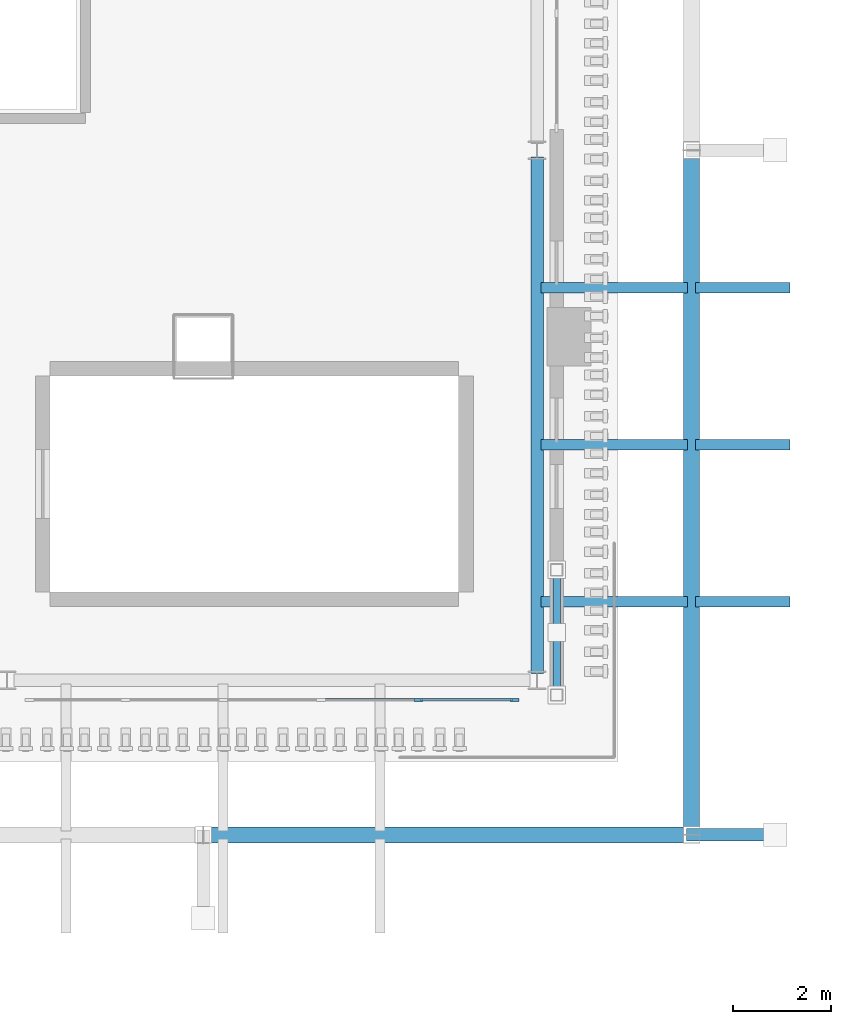
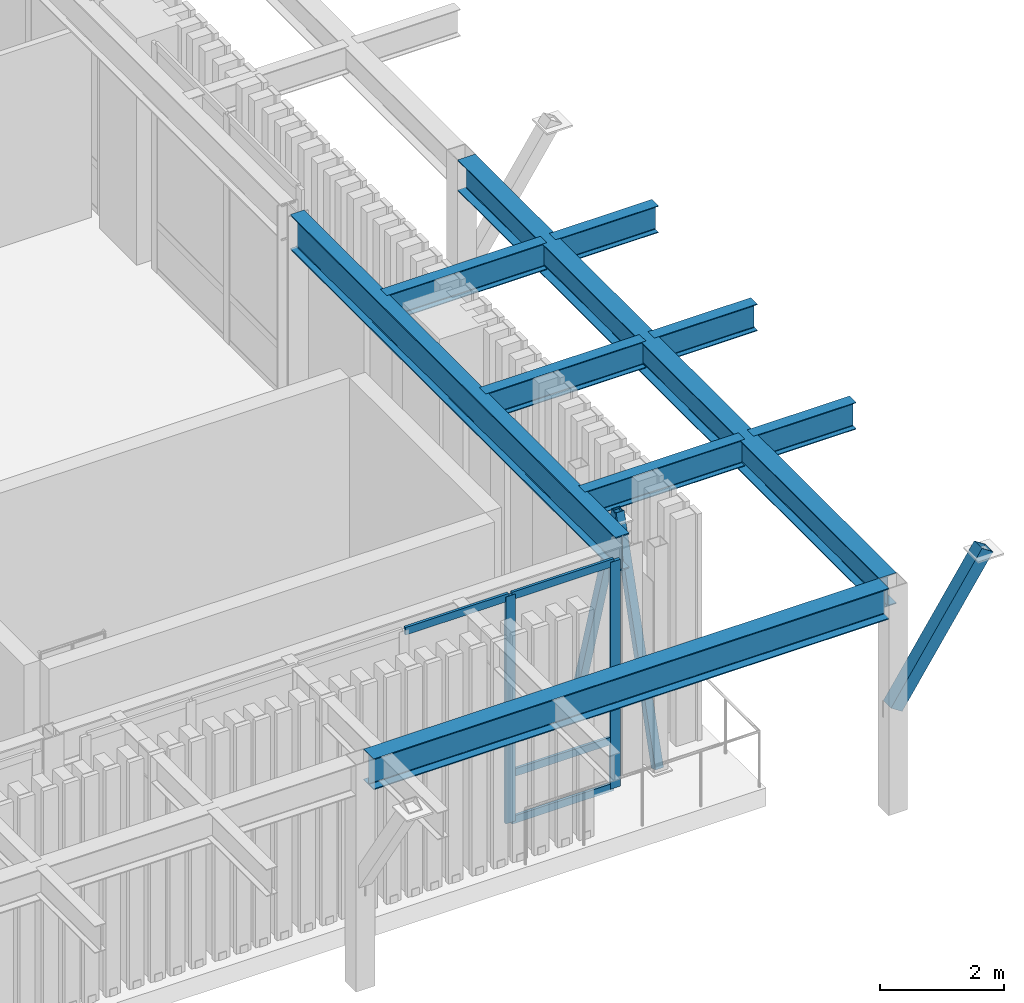
# One storey, part 46 of 126: 9 beams, 9 members, 1 element without a shape of its own.
"""IFC4 building model written with IfcOpenShell, lengths in metres."""

import ifcopenshell
import ifcopenshell.guid

model = None  # the IFC model being written
_history = None  # IfcOwnerHistory: only IFC2X3 demands one
_inside = {}  # id of a spatial element -> (the spatial element, [elements in it])
_under = {}  # id of a project, library or spatial element -> (it, [spatial elements below it])
_declared = {}  # id of a project -> (the project, [libraries it declares])
_typed = {}  # id of a type object -> (the type object, [elements of that type])
_made_of = {}  # id of a material, layer set ... -> (it, [elements and type objects made of it])


def new_model(schema):
    """Start an empty IFC model of exactly this schema.

    Asked for "IFC4X3", IfcOpenShell would pick the latest addendum, in which some entities
    have other attributes; the version numbers below select the first issue.
    IFC2X3 requires an IfcOwnerHistory on every rooted entity: one is made here for all.
    """
    global model, _history
    if schema == "IFC4X3":
        model = ifcopenshell.file(schema_version=(4, 3, 0, 0))
    else:
        model = ifcopenshell.file(schema=schema)
    _inside.clear()
    _under.clear()
    _declared.clear()
    _typed.clear()
    _made_of.clear()
    _history = None
    if model.schema == "IFC2X3":
        org = make("IfcOrganization", Name="unknown")
        user = make(
            "IfcPersonAndOrganization",
            ThePerson=make("IfcPerson", FamilyName="unknown"),
            TheOrganization=org,
        )
        app = make(
            "IfcApplication",
            ApplicationDeveloper=org,
            Version="unknown",
            ApplicationFullName="unknown",
            ApplicationIdentifier="unknown",
        )
        _history = make(
            "IfcOwnerHistory",
            OwningUser=user,
            OwningApplication=app,
            ChangeAction="ADDED",
            CreationDate=0,
        )
    return model


def make(cls, **values):
    """One entity of the class cls with the attributes given. An attribute that is None is left unset."""
    return model.create_entity(
        cls, **{name: value for name, value in values.items() if value is not None}
    )


def rooted(cls, **values):
    """An entity with a GlobalId (a new one), such as an element, a storey or a relation."""
    return make(cls, GlobalId=ifcopenshell.guid.new(), OwnerHistory=_history, **values)


def si_unit(unit_type, name, prefix=None):
    """IfcSIUnit, for example si_unit("LENGTHUNIT", "METRE", prefix="MILLI")."""
    return make("IfcSIUnit", UnitType=unit_type, Prefix=prefix, Name=name)


def derived_unit(unit_type, elements):
    """IfcDerivedUnit: a product of units, each with its exponent."""
    return make(
        "IfcDerivedUnit",
        Elements=[
            make("IfcDerivedUnitElement", Unit=unit, Exponent=power)
            for unit, power in elements
        ],
        UnitType=unit_type,
    )


def assignment(units):
    """IfcUnitAssignment: the units of a project."""
    return None if units is None else make("IfcUnitAssignment", Units=units)


def point(xyz):
    """IfcCartesianPoint."""
    return None if xyz is None else make("IfcCartesianPoint", Coordinates=xyz)


def direction(xyz):
    """IfcDirection."""
    return None if xyz is None else make("IfcDirection", DirectionRatios=xyz)


def frame(location, z_axis=None, x_axis=None):
    """IfcAxis2Placement3D, a coordinate frame: its origin and axes. An axis left out is left unset."""
    return make(
        "IfcAxis2Placement3D",
        Location=point(location),
        Axis=direction(z_axis),
        RefDirection=direction(x_axis),
    )


def frame_2d(location, x_axis=None):
    """IfcAxis2Placement2D, a coordinate frame in the plane: its origin and x axis."""
    return make(
        "IfcAxis2Placement2D", Location=point(location), RefDirection=direction(x_axis)
    )


def origin():
    """The frame at (0, 0, 0) with its axes left unset."""
    return frame((0.0, 0.0, 0.0))


def origin_2d():
    """The frame at (0, 0) in the plane with its x axis left unset."""
    return frame_2d((0.0, 0.0))


def place(relative_to, where):
    """IfcLocalPlacement: puts the frame where relative to a parent placement (None: the world)."""
    return make(
        "IfcLocalPlacement", PlacementRelTo=relative_to, RelativePlacement=where
    )


def context(
    kind, dimensions, precision=None, world=None, true_north=None, identifier=None
):
    """IfcGeometricRepresentationContext, for example the 3D "Model" context."""
    return make(
        "IfcGeometricRepresentationContext",
        ContextIdentifier=identifier,
        ContextType=kind,
        CoordinateSpaceDimension=dimensions,
        Precision=precision,
        WorldCoordinateSystem=world,
        TrueNorth=true_north,
    )


def subcontext(parent, identifier, kind, view, scale=None):
    """IfcGeometricRepresentationSubContext, for example "Body" below "Model"."""
    return make(
        "IfcGeometricRepresentationSubContext",
        ContextIdentifier=identifier,
        ContextType=kind,
        ParentContext=parent,
        TargetScale=scale,
        TargetView=view,
    )


def project(units=None, contexts=None):
    """IfcProject with its units and contexts."""
    return rooted(
        "IfcProject",
        Name="project",
        RepresentationContexts=contexts,
        UnitsInContext=assignment(units),
    )


def spatial(cls, under=None, at=None, **own):
    """A site, building, storey or space (cls), placed at a placement, below another one or the project."""
    s = rooted(cls, ObjectPlacement=at, **own)
    if under is not None:
        _under.setdefault(under.id(), (under, []))[1].append(s)
    return s


def profile(cls, at=None, kind="AREA", **sizes):
    """A parametric profile (cls). Its sizes go by their IFC names, for example OverallWidth=200.0."""
    return make(cls, ProfileType=kind, Position=at, **sizes)


def rectangle(**sizes):
    """IfcRectangleProfileDef."""
    return profile("IfcRectangleProfileDef", **sizes)


def hollow_rectangle(**sizes):
    """IfcRectangleHollowProfileDef."""
    return profile("IfcRectangleHollowProfileDef", **sizes)


def i_section(**sizes):
    """IfcIShapeProfileDef."""
    return profile("IfcIShapeProfileDef", **sizes)


def extrude(swept, where, along, depth):
    """IfcExtrudedAreaSolid: the profile swept, set in the frame where, extruded along a direction by depth."""
    return make(
        "IfcExtrudedAreaSolid",
        SweptArea=swept,
        Position=where,
        ExtrudedDirection=direction(along),
        Depth=depth,
    )


def shape(context_of_items, identifier, shape_type, items):
    """IfcShapeRepresentation: the items that make up one representation, for example the "Body"."""
    return make(
        "IfcShapeRepresentation",
        ContextOfItems=context_of_items,
        RepresentationIdentifier=identifier,
        RepresentationType=shape_type,
        Items=items,
    )


def material(Name=None, Category=None):
    """IfcMaterial."""
    return make("IfcMaterial", Name=Name, Category=Category)


def layer(
    of_material, thickness, ventilated=None, Name=None, Category=None, Priority=None
):
    """IfcMaterialLayer: one layer of a wall or slab, of a material (None: an air gap)."""
    return make(
        "IfcMaterialLayer",
        Material=of_material,
        LayerThickness=thickness,
        IsVentilated=ventilated,
        Name=Name,
        Category=Category,
        Priority=Priority,
    )


def layer_set(layers, Name=None):
    """IfcMaterialLayerSet."""
    return make("IfcMaterialLayerSet", MaterialLayers=layers, LayerSetName=Name)


def material_profile(
    of_material, cross_section, Name=None, Category=None, Priority=None
):
    """IfcMaterialProfile: a cross section and its material."""
    return make(
        "IfcMaterialProfile",
        Name=Name,
        Material=of_material,
        Profile=cross_section,
        Priority=Priority,
        Category=Category,
    )


def profile_set(profiles, Name=None, composite=None):
    """IfcMaterialProfileSet."""
    return make(
        "IfcMaterialProfileSet",
        Name=Name,
        MaterialProfiles=profiles,
        CompositeProfile=composite,
    )


def made_of(thing, what):
    """Note that an element or type object is made of a material, layer set ...; save() writes the relation."""
    if what is not None:
        _made_of.setdefault(what.id(), (what, []))[1].append(thing)
    return thing


def type_object(cls, material=None, **own):
    """A type object (cls), such as IfcWallType, which elements share."""
    return made_of(rooted(cls, **own), material)


def element(
    cls,
    number,
    at=None,
    inside=None,
    cuts=None,
    type_object=None,
    material=None,
    context=None,
    identifier="Body",
    shape_type=None,
    held_by="IfcProductDefinitionShape",
    body=None,
    shapes=None,
    **own,
):
    """One element of the class cls, such as IfcWall. Its Tag is "e" and its number.

    at: its placement. inside: the storey or other place that contains it. cuts: it is an
    opening in that element (IfcRelVoidsElement). A single representation is given by context,
    identifier, shape_type and body (its items); several are given by shapes. held_by: the class
    of the entity that holds the representations. save() writes the other relations.
    """
    e = rooted(cls, Tag="e%d" % number, ObjectPlacement=at, **own)
    if body is not None:
        shapes = [shape(context, identifier, shape_type, body)]
    if shapes is not None:
        e.Representation = make(held_by, Representations=shapes)
    if inside is not None:
        _inside.setdefault(inside.id(), (inside, []))[1].append(e)
    if cuts is not None:
        rooted(
            "IfcRelVoidsElement", RelatingBuildingElement=cuts, RelatedOpeningElement=e
        )
    if type_object is not None:
        _typed.setdefault(type_object.id(), (type_object, []))[1].append(e)
    return made_of(e, material)


def aggregate(whole, parts):
    """IfcRelAggregates: a whole, such as a stair, and the parts it consists of."""
    return rooted("IfcRelAggregates", RelatingObject=whole, RelatedObjects=parts)


def save(model, path):
    """Write the relations noted so far, then the file.

    IfcRelAggregates (storeys below a building ...), IfcRelContainedInSpatialStructure (elements
    in a storey), IfcRelDefinesByType, IfcRelAssociatesMaterial and IfcRelDeclares: one each for
    every whole, place, type object, material and project.
    """
    for whole, parts in _under.values():
        aggregate(whole, parts)
    for where, things in _inside.values():
        rooted(
            "IfcRelContainedInSpatialStructure",
            RelatedElements=things,
            RelatingStructure=where,
        )
    for kind, things in _typed.values():
        rooted("IfcRelDefinesByType", RelatedObjects=things, RelatingType=kind)
    for what, things in _made_of.values():
        rooted("IfcRelAssociatesMaterial", RelatedObjects=things, RelatingMaterial=what)
    for by, libraries in _declared.values():
        rooted("IfcRelDeclares", RelatingContext=by, RelatedDefinitions=libraries)
    model.write(path)


model = new_model("IFC4")

# Units and contexts
model_context = context("Model", 3, precision=1e-05, world=origin(), true_north=direction((0.0, 1.0)))
body_context = subcontext(model_context, "Body", "Model", "MODEL_VIEW")
ifc_project = project(units=[si_unit("LENGTHUNIT", "METRE"), si_unit("AREAUNIT", "SQUARE_METRE"), si_unit("VOLUMEUNIT", "CUBIC_METRE"), si_unit("PLANEANGLEUNIT", "RADIAN"), si_unit("MASSUNIT", "GRAM", prefix="KILO"), derived_unit("THERMALTRANSMITTANCEUNIT", [(si_unit("MASSUNIT", "GRAM", prefix="KILO"), 1), (si_unit("TIMEUNIT", "SECOND"), -3), (si_unit("THERMODYNAMICTEMPERATUREUNIT", "KELVIN"), -1)])], contexts=[model_context])

# Site, building, storey
site_placement = place(None, origin())
site = spatial("IfcSite", under=ifc_project, at=site_placement, CompositionType="ELEMENT")
building_placement = place(site_placement, origin())
building = spatial("IfcBuilding", under=site, at=building_placement, Name="Valcora Ridge Arena", CompositionType="ELEMENT")
storey_placement = place(building_placement, frame((0.0, 0.0, 11.39990234375)))
storey = spatial("IfcBuildingStorey", under=building, at=storey_placement, Name="L02", CompositionType="ELEMENT", Elevation=11.39990234375)

# Beams
ifc_material_1 = material(Name="Steel ASTM A572 Grade 50", Category="steel")
ifc_material_profile_1 = material_profile(ifc_material_1, i_section(OverallWidth=0.324951171875, OverallDepth=0.612060546875, WebThickness=0.0126953125, FlangeThickness=0.01904296875, FilletRadius=0.01806640625, at=origin_2d()), Name="W24X104")
ifc_profile_set_1 = profile_set([ifc_material_profile_1], Name="Steel ASTM A572 Grade 50")
beam_type_1 = type_object("IfcBeamType", Name="TY-BEAM-G-COL-W24", PredefinedType="BEAM", material=ifc_profile_set_1)
beam_1_placement = place(storey_placement, frame((189.949951171875, 2.2099609375, 4.174072265625), z_axis=(0.0, 1.0, 0.0), x_axis=(-1.0, 0.0, 0.0)))
element("IfcBeam", 1, at=beam_1_placement, inside=storey, type_object=beam_type_1, Name="G-COL-W24 BEM-G-COL-W24-0002", PredefinedType="BEAM", context=body_context, shape_type="SweptSolid", body=[
    extrude(i_section(OverallWidth=0.324951171875, OverallDepth=0.612060546875, WebThickness=0.0126953125, FlangeThickness=0.01904296875, FilletRadius=0.01806640625, at=origin_2d()), origin(), (0.0, 0.0, 1.0), 13.630126953125),
])
ifc_material_profile_2 = material_profile(ifc_material_1, i_section(OverallWidth=0.324951171875, OverallDepth=0.612060546875, WebThickness=0.0126953125, FlangeThickness=0.01904296875, FilletRadius=0.01806640625, at=origin_2d()), Name="W24X104")
ifc_profile_set_2 = profile_set([ifc_material_profile_2], Name="Steel ASTM A572 Grade 50")
beam_type_2 = type_object("IfcBeamType", Name="TY-BEAM-G-COL-W24S", PredefinedType="BEAM", material=ifc_profile_set_2)
beam_2_placement = place(storey_placement, frame((180.159912109375, 2.050048828125, 4.174072265625), z_axis=(1.0, 0.0, 0.0), x_axis=(0.0, 1.0, 0.0)))
element("IfcBeam", 2, at=beam_2_placement, inside=storey, type_object=beam_type_2, Name="G-COL-W24S BEM-G-COL-W24S-0005", PredefinedType="BEAM", context=body_context, shape_type="SweptSolid", body=[
    extrude(i_section(OverallWidth=0.324951171875, OverallDepth=0.612060546875, WebThickness=0.0126953125, FlangeThickness=0.01904296875, FilletRadius=0.01806640625, at=origin_2d()), origin(), (0.0, 0.0, 1.0), 9.630126953125),
])
ifc_material_profile_3 = material_profile(ifc_material_1, i_section(OverallWidth=0.256103515625, OverallDepth=0.693115234375, WebThickness=0.014404296875, FlangeThickness=0.023681640625, FilletRadius=0.02001953125, at=origin_2d()), Name="W27X114")
ifc_profile_set_3 = profile_set([ifc_material_profile_3], Name="Steel ASTM A572 Grade 50")
beam_type_3 = type_object("IfcBeamType", Name="TY-BEAM-G-W27X114-Y", PredefinedType="BEAM", material=ifc_profile_set_3)
beam_3_placement = place(storey_placement, frame((186.800048828125, 5.340087890625, 4.133544921875), z_axis=(0.0, 1.0, 0.0), x_axis=(-1.0, 0.0, 0.0)))
element("IfcBeam", 3, at=beam_3_placement, inside=storey, type_object=beam_type_3, Name="G-W27X114-Y BEM-G-W27X114-Y-0079", PredefinedType="BEAM", context=body_context, shape_type="SweptSolid", body=[
    extrude(i_section(OverallWidth=0.256103515625, OverallDepth=0.693115234375, WebThickness=0.014404296875, FlangeThickness=0.023681640625, FilletRadius=0.02001953125, at=origin_2d()), origin(), (0.0, 0.0, 1.0), 10.52001953125),
])
ifc_material_profile_4 = material_profile(ifc_material_1, i_section(OverallWidth=0.208984375, OverallDepth=0.532958984375, WebThickness=0.01025390625, FlangeThickness=0.015625, FilletRadius=0.01611328125, at=origin_2d()), Name="W21X62")
ifc_profile_set_4 = profile_set([ifc_material_profile_4], Name="Steel ASTM A572 Grade 50")
beam_type_4 = type_object("IfcBeamType", Name="TY-BEAM-RAF-EAVE-W21E", PredefinedType="BEAM", material=ifc_profile_set_4)
for number, where, z_axis, x_axis, name in (
    (4, (186.8798828125, 6.800048828125, 4.213623046875), (1.0, 0.0, 0.0), (0.0, 1.0, 0.0), "RAF-EAVE-W21E BEM-RAF-EAVE-W21E-0001"),
    (5, (186.8798828125, 10.0, 4.213623046875), (1.0, 0.0, 0.0), (0.0, 1.0, 0.0), "RAF-EAVE-W21E BEM-RAF-EAVE-W21E-0002"),
    (6, (186.8798828125, 13.199951171875, 4.213623046875), (1.0, 0.0, 0.0), (0.0, 1.0, 0.0), "RAF-EAVE-W21E BEM-RAF-EAVE-W21E-0003"),
):
    element("IfcBeam", number, at=place(storey_placement, frame(where, z_axis=z_axis, x_axis=x_axis)), inside=storey, type_object=beam_type_4, Name=name, PredefinedType="BEAM", context=body_context, shape_type="SweptSolid", body=[
        extrude(i_section(OverallWidth=0.208984375, OverallDepth=0.532958984375, WebThickness=0.01025390625, FlangeThickness=0.015625, FilletRadius=0.01611328125, at=origin_2d()), origin(), (0.0, 0.0, 1.0), 2.990234375),
    ])
ifc_material_profile_5 = material_profile(ifc_material_1, i_section(OverallWidth=0.208984375, OverallDepth=0.532958984375, WebThickness=0.01025390625, FlangeThickness=0.015625, FilletRadius=0.01611328125, at=origin_2d()), Name="W21X62")
ifc_profile_set_5 = profile_set([ifc_material_profile_5], Name="Steel ASTM A572 Grade 50")
beam_type_5 = type_object("IfcBeamType", Name="TY-BEAM-RAF-TIP-W21E", PredefinedType="BEAM", material=ifc_profile_set_5)
for number, where, z_axis, x_axis, name in (
    (7, (190.030029296875, 6.800048828125, 4.213623046875), (1.0, 0.0, 0.0), (0.0, 1.0, 0.0), "RAF-TIP-W21E BEM-RAF-TIP-W21E-0001"),
    (8, (190.030029296875, 10.0, 4.213623046875), (1.0, 0.0, 0.0), (0.0, 1.0, 0.0), "RAF-TIP-W21E BEM-RAF-TIP-W21E-0002"),
    (9, (190.030029296875, 13.199951171875, 4.213623046875), (1.0, 0.0, 0.0), (0.0, 1.0, 0.0), "RAF-TIP-W21E BEM-RAF-TIP-W21E-0003"),
):
    element("IfcBeam", number, at=place(storey_placement, frame(where, z_axis=z_axis, x_axis=x_axis)), inside=storey, type_object=beam_type_5, Name=name, PredefinedType="BEAM", context=body_context, shape_type="SweptSolid", body=[
        extrude(i_section(OverallWidth=0.208984375, OverallDepth=0.532958984375, WebThickness=0.01025390625, FlangeThickness=0.015625, FilletRadius=0.01611328125, at=origin_2d()), origin(), (0.0, 0.0, 1.0), 1.919921875),
    ])

# Curtain wall, members
ifc_material_2 = material(Name="Anodised dark bronze architectural aluminium 6063-T6", Category="aluminium")
ifc_layer = layer(ifc_material_2, 0.179931640625, Name="Anodised dark bronze architectural aluminium 6063-T6")
ifc_layer_set = layer_set([ifc_layer], Name="Anodised dark bronze architectural aluminium 6063-T6")
curtain_wall_type = type_object("IfcCurtainWallType", Name="TY-CURTAINWALL-CW-V2-GLAZ-099X45", PredefinedType="NOTDEFINED", material=ifc_layer_set)
curtain_wall_placement = place(storey_placement, origin())
curtain_wall = element("IfcCurtainWall", 10, at=curtain_wall_placement, inside=storey, type_object=curtain_wall_type, Name="CW-V2-GLAZ-099X45 CW-0070", PredefinedType="NOTDEFINED")
ifc_material_profile_6 = material_profile(ifc_material_2, rectangle(XDim=0.06005859375, YDim=0.179931640625, at=origin_2d()), Name="ALU MULLION 60x180")
ifc_profile_set_6 = profile_set([ifc_material_profile_6], Name="Anodised dark bronze architectural aluminium 6063-T6")
member_type_1 = type_object("IfcMemberType", Name="TY-MEM-CWM-60x180", PredefinedType="MULLION", material=ifc_profile_set_6)
member_1_placement = place(storey_placement, frame((184.3837890625, 4.800048828125, 0.0), z_axis=(0.0, 0.0, 1.0), x_axis=(0.0, 1.0, 0.0)))
member_1 = element("IfcMember", 11, at=member_1_placement, type_object=member_type_1, Name="CW-0070/CWM-60x180/M04", PredefinedType="MULLION", context=body_context, shape_type="SweptSolid", body=[
    extrude(rectangle(XDim=0.06005859375, YDim=0.179931640625, at=origin_2d()), origin(), (0.0, 0.0, 1.0), 4.47998046875),
])
member_2_placement = place(storey_placement, frame((186.343017578125, 4.800048828125, 0.0), z_axis=(0.0, 0.0, 1.0), x_axis=(0.0, 1.0, 0.0)))
member_2 = element("IfcMember", 12, at=member_2_placement, type_object=member_type_1, Name="CW-0070/CWM-60x180/M05", PredefinedType="MULLION", context=body_context, shape_type="SweptSolid", body=[
    extrude(rectangle(XDim=0.06005859375, YDim=0.179931640625, at=origin_2d()), origin(), (0.0, 0.0, 1.0), 4.47998046875),
])
ifc_material_profile_7 = material_profile(ifc_material_2, rectangle(XDim=0.050048828125, YDim=0.14990234375, at=origin_2d()), Name="ALU TRANSOM 50x150")
ifc_profile_set_7 = profile_set([ifc_material_profile_7], Name="Anodised dark bronze architectural aluminium 6063-T6")
member_type_2 = type_object("IfcMemberType", Name="TY-MEM-CWT-50x150", PredefinedType="USERDEFINED", material=ifc_profile_set_7)
member_3_placement = place(storey_placement, frame((182.425048828125, 4.800048828125, 4.455078125), z_axis=(1.0, 0.0, 0.0), x_axis=(0.0, 1.0, 0.0)))
member_3 = element("IfcMember", 13, at=member_3_placement, type_object=member_type_2, Name="CW-0070/CWT-50x150/T03-02", ObjectType="TRANSOM", PredefinedType="USERDEFINED", context=body_context, shape_type="SweptSolid", body=[
    extrude(rectangle(XDim=0.050048828125, YDim=0.14990234375, at=origin_2d()), origin(), (0.0, 0.0, 1.0), 1.928955078125),
])
member_4_placement = place(storey_placement, frame((184.4140625, 4.800048828125, 0.025146484375), z_axis=(1.0, 0.0, 0.0), x_axis=(0.0, 1.0, 0.0)))
member_4 = element("IfcMember", 14, at=member_4_placement, type_object=member_type_2, Name="CW-0070/CWT-50x150/T04-00", ObjectType="TRANSOM", PredefinedType="USERDEFINED", context=body_context, shape_type="SweptSolid", body=[
    extrude(rectangle(XDim=0.050048828125, YDim=0.14990234375, at=origin_2d()), origin(), (0.0, 0.0, 1.0), 1.89892578125),
])
member_5_placement = place(storey_placement, frame((184.4140625, 4.800048828125, 0.9501953125), z_axis=(1.0, 0.0, 0.0), x_axis=(0.0, 1.0, 0.0)))
member_5 = element("IfcMember", 15, at=member_5_placement, type_object=member_type_2, Name="CW-0070/CWT-50x150/T04-01", ObjectType="TRANSOM", PredefinedType="USERDEFINED", context=body_context, shape_type="SweptSolid", body=[
    extrude(rectangle(XDim=0.050048828125, YDim=0.14990234375, at=origin_2d()), origin(), (0.0, 0.0, 1.0), 1.89892578125),
])
member_6_placement = place(storey_placement, frame((184.4140625, 4.800048828125, 4.455078125), z_axis=(1.0, 0.0, 0.0), x_axis=(0.0, 1.0, 0.0)))
member_6 = element("IfcMember", 16, at=member_6_placement, type_object=member_type_2, Name="CW-0070/CWT-50x150/T04-02", ObjectType="TRANSOM", PredefinedType="USERDEFINED", context=body_context, shape_type="SweptSolid", body=[
    extrude(rectangle(XDim=0.050048828125, YDim=0.14990234375, at=origin_2d()), origin(), (0.0, 0.0, 1.0), 1.89892578125),
])
aggregate(curtain_wall, [member_1, member_2, member_3, member_4, member_5, member_6])

# Members
ifc_material_3 = material(Name="Steel ASTM A500 Grade C", Category="steel")
ifc_material_profile_8 = material_profile(ifc_material_3, hollow_rectangle(XDim=0.14990234375, YDim=0.14990234375, WallThickness=0.010009765625, at=origin_2d()), Name="HSS150X150X10")
ifc_profile_set_8 = profile_set([ifc_material_profile_8], Name="Steel ASTM A500 Grade C")
member_type_3 = type_object("IfcMemberType", Name="TY-MEMBER-CBF-150A", PredefinedType="BRACE", material=ifc_profile_set_8)
member_7_placement = place(storey_placement, frame((187.199951171875, 4.89990234375, 0.02001953125), z_axis=(0.0, 0.284305163305, 0.958733839039), x_axis=(-1.0, 0.0, 0.0)))
element("IfcMember", 17, at=member_7_placement, inside=storey, type_object=member_type_3, Name="CBF-150A Diagonal Brace", PredefinedType="BRACE", context=body_context, shape_type="SweptSolid", body=[
    extrude(hollow_rectangle(XDim=0.14990234375, YDim=0.14990234375, WallThickness=0.010009765625, at=origin_2d()), origin(), (0.0, 0.0, 1.0), 4.485107421875),
])
ifc_material_profile_9 = material_profile(ifc_material_3, hollow_rectangle(XDim=0.14990234375, YDim=0.14990234375, WallThickness=0.010009765625, at=origin_2d()), Name="HSS150X150X10")
ifc_profile_set_9 = profile_set([ifc_material_profile_9], Name="Steel ASTM A500 Grade C")
member_type_4 = type_object("IfcMemberType", Name="TY-MEMBER-CBF-150B", PredefinedType="BRACE", material=ifc_profile_set_9)
member_8_placement = place(storey_placement, frame((187.199951171875, 7.449951171875, 0.02001953125), z_axis=(0.0, -0.28425512865, 0.958748675011), x_axis=(1.0, 0.0, 0.0)))
element("IfcMember", 18, at=member_8_placement, inside=storey, type_object=member_type_4, Name="CBF-150B Diagonal Brace", PredefinedType="BRACE", context=body_context, shape_type="SweptSolid", body=[
    extrude(hollow_rectangle(XDim=0.14990234375, YDim=0.14990234375, WallThickness=0.010009765625, at=origin_2d()), origin(), (0.0, 0.0, 1.0), 4.485107421875),
])
ifc_material_profile_10 = material_profile(ifc_material_3, hollow_rectangle(XDim=0.25, YDim=0.25, WallThickness=0.012451171875, at=origin_2d()), Name="HSS250X250X12")
ifc_profile_set_10 = profile_set([ifc_material_profile_10], Name="Steel ASTM A500 Grade C")
member_type_5 = type_object("IfcMemberType", Name="TY-MEMBER-KBG-250", PredefinedType="BRACE", material=ifc_profile_set_10)
member_9_placement = place(storey_placement, frame((189.949951171875, 2.050048828125, 2.0), z_axis=(0.55317758564, 0.0, 0.833063358182), x_axis=(0.0, 1.0, 0.0)))
element("IfcMember", 19, at=member_9_placement, inside=storey, type_object=member_type_5, Name="KBG-250 Knee Brace", PredefinedType="BRACE", context=body_context, shape_type="SweptSolid", body=[
    extrude(hollow_rectangle(XDim=0.25, YDim=0.25, WallThickness=0.012451171875, at=origin_2d()), origin(), (0.0, 0.0, 1.0), 3.072998046875),
])

save(model, "model.ifc")
